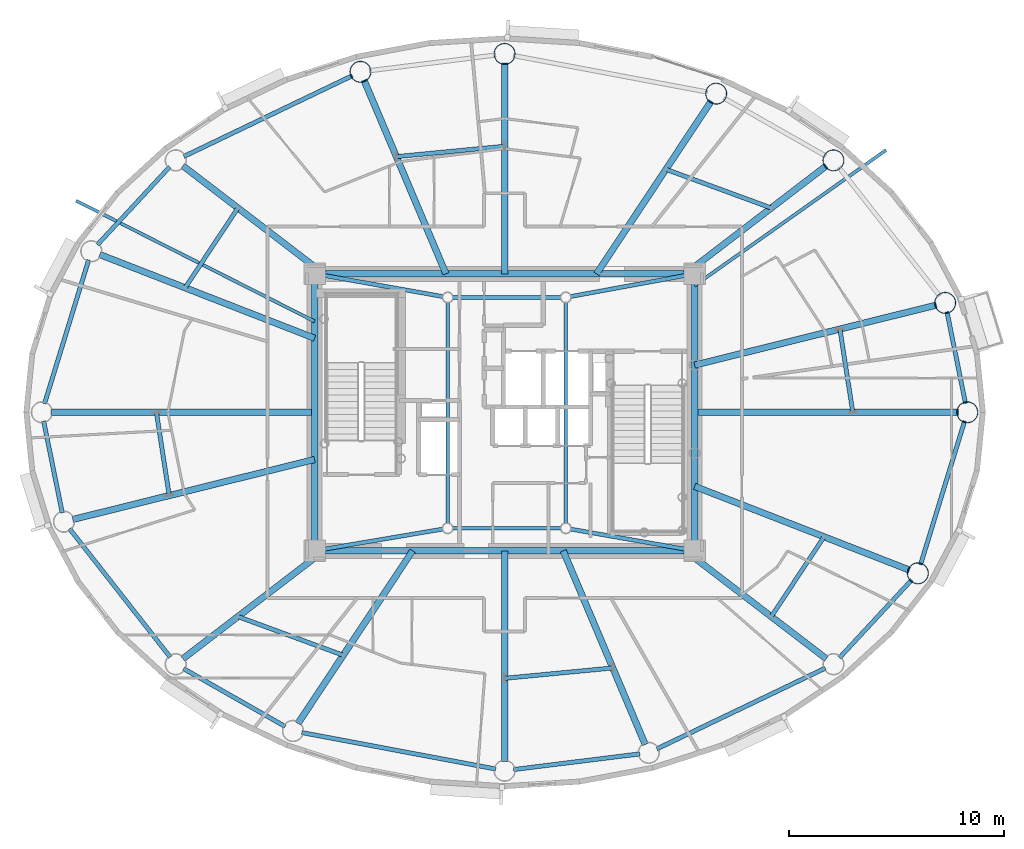
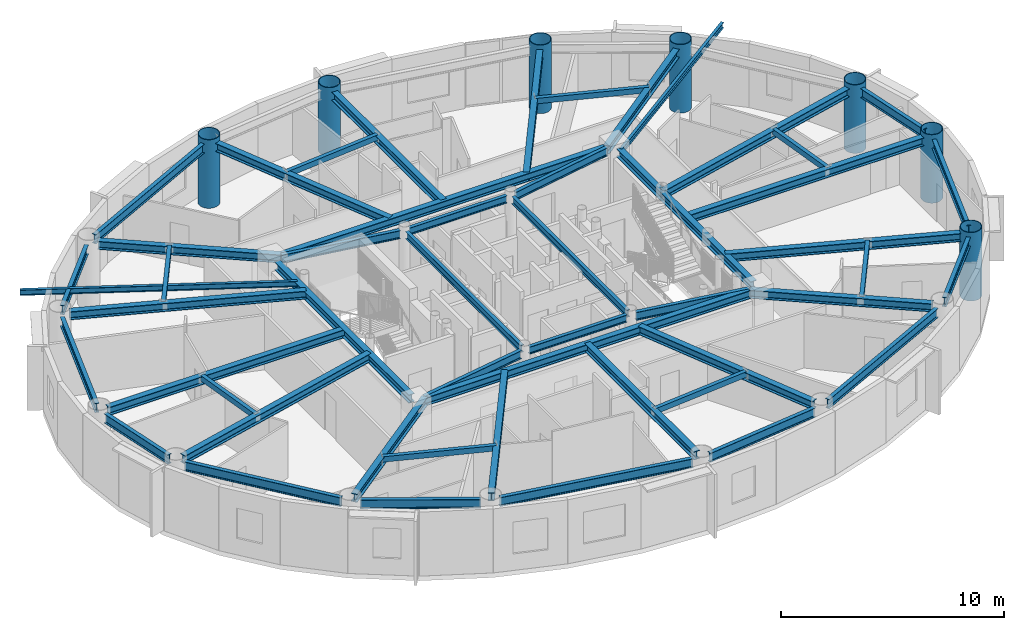
# One storey, part 2 of 18: 50 beams, 7 columns.
"""IFC4 building model written with IfcOpenShell, lengths in metres."""

from ifc_helpers import new_model, si_unit, direction, frame, origin, origin_2d, place, context, subcontext, project, spatial, hollow_rectangle, hollow_circle, i_section, extrude, material, material_profile, profile_set, type_object, element, save


model = new_model("IFC4")

# Units and contexts
model_context = context("Model", 3, precision=1e-05, world=origin(), true_north=direction((0.0, 1.0)))
body_context = subcontext(model_context, "Body", "Model", "MODEL_VIEW")
ifc_project = project(units=[si_unit("LENGTHUNIT", "METRE"), si_unit("AREAUNIT", "SQUARE_METRE"), si_unit("VOLUMEUNIT", "CUBIC_METRE"), si_unit("PLANEANGLEUNIT", "RADIAN"), si_unit("MASSUNIT", "GRAM", prefix="KILO")], contexts=[model_context])

# Site, building, storey
site_placement = place(None, origin())
site = spatial("IfcSite", under=ifc_project, at=site_placement, CompositionType="ELEMENT")
building_placement = place(site_placement, origin())
building = spatial("IfcBuilding", under=site, at=building_placement, Name="Linh Dai School and Residence Tower", CompositionType="ELEMENT")
storey_placement = place(building_placement, frame((0.0, 0.0, 273.0)))
storey = spatial("IfcBuildingStorey", under=building, at=storey_placement, Name="L67", CompositionType="ELEMENT", Elevation=273.0)

# Columns
ifc_material = material(Name="Structural Steel S355JR", Category="steel")
ifc_material_profile_1 = material_profile(ifc_material, hollow_circle(Radius=0.5, WallThickness=0.031982421875, at=origin_2d()), Name="CHS 1000x32")
ifc_profile_set_1 = profile_set([ifc_material_profile_1], Name="Structural Steel S355JR")
column_type = type_object("IfcColumnType", Name="COL-MC6", PredefinedType="COLUMN", material=ifc_profile_set_1)
for number, where, z_axis, x_axis, name in (
    (1, (57.550048828125, 27.0, 0.0), (0.0, 0.0, 1.0), (1.0, 0.0, 0.0), "L67 Perimeter CFT Mega-Column MC01"),
    (2, (56.5185546875, 32.094482421875, 0.0), (0.0, 0.0, 1.0), (1.0, 0.0, 0.0), "L67 Perimeter CFT Mega-Column MC02"),
    (3, (51.315185546875, 38.7333984375, 0.0), (0.0, 0.0, 1.0), (1.0, 0.0, 0.0), "L67 Perimeter CFT Mega-Column MC03"),
    (4, (45.8544921875, 41.8388671875, 0.0), (0.0, 0.0, 1.0), (1.0, 0.0, 0.0), "L67 Perimeter CFT Mega-Column MC04"),
    (5, (36.0, 43.68994140625, 0.0), (0.0, 0.0, 1.0), (1.0, 0.0, 0.0), "L67 Perimeter CFT Mega-Column MC05"),
    (6, (29.28759765625, 42.857666015625, 0.0), (0.0, 0.0, 1.0), (1.0, 0.0, 0.0), "L67 Perimeter CFT Mega-Column MC06"),
    (7, (55.24609375, 19.50048828125, 0.0), (0.0, 0.0, 1.0), (1.0, 0.0, 0.0), "L67 Perimeter CFT Mega-Column MC16"),
):
    element("IfcColumn", number, at=place(storey_placement, frame(where, z_axis=z_axis, x_axis=x_axis)), inside=storey, type_object=column_type, Name=name, PredefinedType="COLUMN", context=body_context, shape_type="SweptSolid", body=[
        extrude(hollow_circle(Radius=0.5, WallThickness=0.031982421875, at=origin_2d()), origin(), (0.0, 0.0, 1.0), 3.75),
    ])

# Beams
ifc_material_profile_2 = material_profile(ifc_material, i_section(OverallWidth=0.14990234375, OverallDepth=0.300048828125, WebThickness=0.007080078125, FlangeThickness=0.0107421875, at=origin_2d()), Name="IPE 300")
ifc_profile_set_2 = profile_set([ifc_material_profile_2], Name="Structural Steel S355JR")
beam_type_1 = type_object("IfcBeamType", Name="BM-BALC-CANT", PredefinedType="BEAM", material=ifc_profile_set_2)
beam_1_placement = place(storey_placement, frame((44.85009765625, 32.900146484375, 3.35009765625), z_axis=(0.816151853346, 0.577837479123, 0.0), x_axis=(-0.577837479123, 0.816151853346, 0.0)))
element("IfcBeam", 8, at=beam_1_placement, inside=storey, type_object=beam_type_1, Name="L68 Balcony Continuous Cantilever Beam 05", PredefinedType="BEAM", context=body_context, shape_type="SweptSolid", body=[
    extrude(i_section(OverallWidth=0.14990234375, OverallDepth=0.300048828125, WebThickness=0.007080078125, FlangeThickness=0.0107421875, at=origin_2d()), origin(), (0.0, 0.0, 1.0), 10.922607421875),
])
beam_2_placement = place(storey_placement, frame((27.14990234375, 31.23291015625, 3.35009765625), z_axis=(-0.892266718589, 0.451508696371, 0.0), x_axis=(-0.451508696371, -0.892266718589, 0.0)))
element("IfcBeam", 9, at=beam_2_placement, inside=storey, type_object=beam_type_1, Name="L68 Balcony Continuous Cantilever Beam 17", PredefinedType="BEAM", context=body_context, shape_type="SweptSolid", body=[
    extrude(i_section(OverallWidth=0.14990234375, OverallDepth=0.300048828125, WebThickness=0.007080078125, FlangeThickness=0.0107421875, at=origin_2d()), origin(), (0.0, 0.0, 1.0), 12.44482421875),
])
ifc_material_profile_3 = material_profile(ifc_material, hollow_rectangle(XDim=0.199951171875, YDim=0.300048828125, WallThickness=0.010009765625, at=origin_2d()), Name="RHS 300x200x10")
ifc_profile_set_3 = profile_set([ifc_material_profile_3], Name="Structural Steel S355JR")
beam_type_2 = type_object("IfcBeamType", Name="BM-BX3", PredefinedType="BEAM", material=ifc_profile_set_3)
beam_3_placement = place(storey_placement, frame((52.21533203125, 27.0048828125, 3.35009765625), z_axis=(-0.15246970742, 0.988308144416, 0.0), x_axis=(-0.988308144416, -0.15246970742, 0.0)))
element("IfcBeam", 10, at=beam_3_placement, inside=storey, type_object=beam_type_2, Name="L67 Secondary Circumferential Floor Beam 01", PredefinedType="BEAM", context=body_context, shape_type="SweptSolid", body=[
    extrude(hollow_rectangle(XDim=0.199951171875, YDim=0.300048828125, WallThickness=0.010009765625, at=origin_2d()), origin(), (0.0, 0.0, 1.0), 3.913330078125),
])
beam_4_placement = place(storey_placement, frame((48.4140625, 36.51611328125, 3.35009765625), z_axis=(-0.938699136888, 0.344737480418, 0.0), x_axis=(-0.344737480418, -0.938699136888, 0.0)))
element("IfcBeam", 11, at=beam_4_placement, inside=storey, type_object=beam_type_2, Name="L67 Secondary Circumferential Floor Beam 02", PredefinedType="BEAM", context=body_context, shape_type="SweptSolid", body=[
    extrude(hollow_rectangle(XDim=0.199951171875, YDim=0.300048828125, WallThickness=0.010009765625, at=origin_2d()), origin(), (0.0, 0.0, 1.0), 5.21435546875),
])
beam_5_placement = place(storey_placement, frame((35.9951171875, 39.388671875, 3.35009765625), z_axis=(-0.99544604529, -0.095326653757, 0.0), x_axis=(0.095326653757, -0.99544604529, 0.0)))
element("IfcBeam", 12, at=beam_5_placement, inside=storey, type_object=beam_type_2, Name="L67 Secondary Circumferential Floor Beam 03", PredefinedType="BEAM", context=body_context, shape_type="SweptSolid", body=[
    extrude(hollow_rectangle(XDim=0.199951171875, YDim=0.300048828125, WallThickness=0.010009765625, at=origin_2d()), origin(), (0.0, 0.0, 1.0), 5.052978515625),
])
beam_6_placement = place(storey_placement, frame((23.57861328125, 36.51025390625, 3.35009765625), z_axis=(-0.552138599569, -0.833752341445, 0.0), x_axis=(0.833752341445, -0.552138599569, 0.0)))
element("IfcBeam", 13, at=beam_6_placement, inside=storey, type_object=beam_type_2, Name="L67 Secondary Circumferential Floor Beam 04", PredefinedType="BEAM", context=body_context, shape_type="SweptSolid", body=[
    extrude(hollow_rectangle(XDim=0.199951171875, YDim=0.300048828125, WallThickness=0.010009765625, at=origin_2d()), origin(), (0.0, 0.0, 1.0), 4.447265625),
])
beam_7_placement = place(storey_placement, frame((19.78466796875, 26.9951171875, 3.35009765625), z_axis=(0.15246970742, -0.988308144416, 0.0), x_axis=(0.988308144416, 0.15246970742, 0.0)))
element("IfcBeam", 14, at=beam_7_placement, inside=storey, type_object=beam_type_2, Name="L67 Secondary Circumferential Floor Beam 05", PredefinedType="BEAM", context=body_context, shape_type="SweptSolid", body=[
    extrude(hollow_rectangle(XDim=0.199951171875, YDim=0.300048828125, WallThickness=0.010009765625, at=origin_2d()), origin(), (0.0, 0.0, 1.0), 3.913330078125),
])
beam_8_placement = place(storey_placement, frame((23.5859375, 17.48388671875, 3.35009765625), z_axis=(0.938699136888, -0.344737480418, 0.0), x_axis=(0.344737480418, 0.938699136888, 0.0)))
element("IfcBeam", 15, at=beam_8_placement, inside=storey, type_object=beam_type_2, Name="L67 Secondary Circumferential Floor Beam 06", PredefinedType="BEAM", context=body_context, shape_type="SweptSolid", body=[
    extrude(hollow_rectangle(XDim=0.199951171875, YDim=0.300048828125, WallThickness=0.010009765625, at=origin_2d()), origin(), (0.0, 0.0, 1.0), 5.21435546875),
])
beam_9_placement = place(storey_placement, frame((36.0048828125, 14.611328125, 3.35009765625), z_axis=(0.99544604529, 0.095326653757, 0.0), x_axis=(-0.095326653757, 0.99544604529, 0.0)))
element("IfcBeam", 16, at=beam_9_placement, inside=storey, type_object=beam_type_2, Name="L67 Secondary Circumferential Floor Beam 07", PredefinedType="BEAM", context=body_context, shape_type="SweptSolid", body=[
    extrude(hollow_rectangle(XDim=0.199951171875, YDim=0.300048828125, WallThickness=0.010009765625, at=origin_2d()), origin(), (0.0, 0.0, 1.0), 5.052978515625),
])
beam_10_placement = place(storey_placement, frame((48.42138671875, 17.48974609375, 3.35009765625), z_axis=(0.552138599569, 0.833752341445, 0.0), x_axis=(-0.833752341445, 0.552138599569, 0.0)))
element("IfcBeam", 17, at=beam_10_placement, inside=storey, type_object=beam_type_2, Name="L67 Secondary Circumferential Floor Beam 08", PredefinedType="BEAM", context=body_context, shape_type="SweptSolid", body=[
    extrude(hollow_rectangle(XDim=0.199951171875, YDim=0.300048828125, WallThickness=0.010009765625, at=origin_2d()), origin(), (0.0, 0.0, 1.0), 4.447265625),
])
ifc_material_profile_4 = material_profile(ifc_material, i_section(OverallWidth=0.199951171875, OverallDepth=0.5, WebThickness=0.01025390625, FlangeThickness=0.01611328125, FilletRadius=0.02099609375, at=origin_2d()), Name="IPE 500")
ifc_profile_set_4 = profile_set([ifc_material_profile_4], Name="Structural Steel S355JR")
beam_type_3 = type_object("IfcBeamType", Name="BM-RB50", PredefinedType="BEAM", material=ifc_profile_set_4)
beam_11_placement = place(storey_placement, frame((57.466552734375, 27.41162109375, 3.25), z_axis=(-0.198442801529, 0.980112470343, 0.0), x_axis=(-0.980112470343, -0.198442801529, 0.0)))
element("IfcBeam", 18, at=beam_11_placement, inside=storey, type_object=beam_type_3, Name="L67 Perimeter Elliptical Ring Beam 01", PredefinedType="BEAM", context=body_context, shape_type="SweptSolid", body=[
    extrude(i_section(OverallWidth=0.199951171875, OverallDepth=0.5, WebThickness=0.01025390625, FlangeThickness=0.01611328125, FilletRadius=0.02099609375, at=origin_2d()), origin(), (0.0, 0.0, 1.0), 4.357666015625),
])
beam_12_placement = place(storey_placement, frame((28.908935546875, 42.67626953125, 3.25), z_axis=(-0.901728757887, -0.4323022637, 0.0), x_axis=(0.4323022637, -0.901728757887, 0.0)))
element("IfcBeam", 19, at=beam_12_placement, inside=storey, type_object=beam_type_3, Name="L67 Perimeter Elliptical Ring Beam 06", PredefinedType="BEAM", context=body_context, shape_type="SweptSolid", body=[
    extrude(i_section(OverallWidth=0.199951171875, OverallDepth=0.5, WebThickness=0.01025390625, FlangeThickness=0.01611328125, FilletRadius=0.02099609375, at=origin_2d()), origin(), (0.0, 0.0, 1.0), 8.700439453125),
])
beam_13_placement = place(storey_placement, frame((20.399169921875, 38.425537109375, 3.25), z_axis=(-0.680415064526, -0.7328269509, 0.0), x_axis=(0.7328269509, -0.680415064526, 0.0)))
element("IfcBeam", 20, at=beam_13_placement, inside=storey, type_object=beam_type_3, Name="L67 Perimeter Elliptical Ring Beam 07", PredefinedType="BEAM", context=body_context, shape_type="SweptSolid", body=[
    extrude(i_section(OverallWidth=0.199951171875, OverallDepth=0.5, WebThickness=0.01025390625, FlangeThickness=0.01611328125, FilletRadius=0.02099609375, at=origin_2d()), origin(), (0.0, 0.0, 1.0), 4.9375),
])
beam_14_placement = place(storey_placement, frame((16.630615234375, 34.097900390625, 3.25), z_axis=(-0.293681749834, -0.955903253376, 0.0), x_axis=(0.955903253376, -0.293681749834, 0.0)))
element("IfcBeam", 21, at=beam_14_placement, inside=storey, type_object=beam_type_3, Name="L67 Perimeter Elliptical Ring Beam 08", PredefinedType="BEAM", context=body_context, shape_type="SweptSolid", body=[
    extrude(i_section(OverallWidth=0.199951171875, OverallDepth=0.5, WebThickness=0.01025390625, FlangeThickness=0.01611328125, FilletRadius=0.02099609375, at=origin_2d()), origin(), (0.0, 0.0, 1.0), 7.00537109375),
])
beam_15_placement = place(storey_placement, frame((14.533447265625, 26.58837890625, 3.25), z_axis=(0.198442801529, -0.980112470343, 0.0), x_axis=(0.980112470343, 0.198442801529, 0.0)))
element("IfcBeam", 22, at=beam_15_placement, inside=storey, type_object=beam_type_3, Name="L67 Perimeter Elliptical Ring Beam 09", PredefinedType="BEAM", context=body_context, shape_type="SweptSolid", body=[
    extrude(i_section(OverallWidth=0.199951171875, OverallDepth=0.5, WebThickness=0.01025390625, FlangeThickness=0.01611328125, FilletRadius=0.02099609375, at=origin_2d()), origin(), (0.0, 0.0, 1.0), 4.357666015625),
])
beam_16_placement = place(storey_placement, frame((15.740478515625, 21.574951171875, 3.25), z_axis=(0.616882739554, -0.787055071542, 0.0), x_axis=(0.787055071542, 0.616882739554, 0.0)))
element("IfcBeam", 23, at=beam_16_placement, inside=storey, type_object=beam_type_3, Name="L67 Perimeter Elliptical Ring Beam 10", PredefinedType="BEAM", context=body_context, shape_type="SweptSolid", body=[
    extrude(i_section(OverallWidth=0.199951171875, OverallDepth=0.5, WebThickness=0.01025390625, FlangeThickness=0.01611328125, FilletRadius=0.02099609375, at=origin_2d()), origin(), (0.0, 0.0, 1.0), 7.59521484375),
])
beam_17_placement = place(storey_placement, frame((21.050048828125, 15.05908203125, 3.25), z_axis=(0.869265548778, -0.494345431564, 0.0), x_axis=(0.494345431564, 0.869265548778, 0.0)))
element("IfcBeam", 24, at=beam_17_placement, inside=storey, type_object=beam_type_3, Name="L67 Perimeter Elliptical Ring Beam 11", PredefinedType="BEAM", context=body_context, shape_type="SweptSolid", body=[
    extrude(i_section(OverallWidth=0.199951171875, OverallDepth=0.5, WebThickness=0.01025390625, FlangeThickness=0.01611328125, FilletRadius=0.02099609375, at=origin_2d()), origin(), (0.0, 0.0, 1.0), 5.44189453125),
])
beam_18_placement = place(storey_placement, frame((26.558349609375, 12.083740234375, 3.25), z_axis=(0.982805333306, -0.184644731378, 0.0), x_axis=(0.184644731378, 0.982805333306, 0.0)))
element("IfcBeam", 25, at=beam_18_placement, inside=storey, type_object=beam_type_3, Name="L67 Perimeter Elliptical Ring Beam 12", PredefinedType="BEAM", context=body_context, shape_type="SweptSolid", body=[
    extrude(i_section(OverallWidth=0.199951171875, OverallDepth=0.5, WebThickness=0.01025390625, FlangeThickness=0.01611328125, FilletRadius=0.02099609375, at=origin_2d()), origin(), (0.0, 0.0, 1.0), 9.186767578125),
])
beam_19_placement = place(storey_placement, frame((36.416748046875, 10.361572265625, 3.25), z_axis=(0.992399134443, 0.123060789678, 0.0), x_axis=(-0.123060789678, 0.992399134443, 0.0)))
element("IfcBeam", 26, at=beam_19_placement, inside=storey, type_object=beam_type_3, Name="L67 Perimeter Elliptical Ring Beam 13", PredefinedType="BEAM", context=body_context, shape_type="SweptSolid", body=[
    extrude(i_section(OverallWidth=0.199951171875, OverallDepth=0.5, WebThickness=0.01025390625, FlangeThickness=0.01611328125, FilletRadius=0.02099609375, at=origin_2d()), origin(), (0.0, 0.0, 1.0), 5.923828125),
])
beam_20_placement = place(storey_placement, frame((43.091064453125, 11.32373046875, 3.25), z_axis=(0.901728757887, 0.4323022637, 0.0), x_axis=(-0.4323022637, 0.901728757887, 0.0)))
element("IfcBeam", 27, at=beam_20_placement, inside=storey, type_object=beam_type_3, Name="L67 Perimeter Elliptical Ring Beam 14", PredefinedType="BEAM", context=body_context, shape_type="SweptSolid", body=[
    extrude(i_section(OverallWidth=0.199951171875, OverallDepth=0.5, WebThickness=0.01025390625, FlangeThickness=0.01611328125, FilletRadius=0.02099609375, at=origin_2d()), origin(), (0.0, 0.0, 1.0), 8.700439453125),
])
beam_21_placement = place(storey_placement, frame((51.600830078125, 15.574462890625, 3.25), z_axis=(0.680415064526, 0.7328269509, 0.0), x_axis=(-0.7328269509, 0.680415064526, 0.0)))
element("IfcBeam", 28, at=beam_21_placement, inside=storey, type_object=beam_type_3, Name="L67 Perimeter Elliptical Ring Beam 15", PredefinedType="BEAM", context=body_context, shape_type="SweptSolid", body=[
    extrude(i_section(OverallWidth=0.199951171875, OverallDepth=0.5, WebThickness=0.01025390625, FlangeThickness=0.01611328125, FilletRadius=0.02099609375, at=origin_2d()), origin(), (0.0, 0.0, 1.0), 4.9375),
])
beam_22_placement = place(storey_placement, frame((55.369384765625, 19.902099609375, 3.25), z_axis=(0.293681749834, 0.955903253376, 0.0), x_axis=(-0.955903253376, 0.293681749834, 0.0)))
element("IfcBeam", 29, at=beam_22_placement, inside=storey, type_object=beam_type_3, Name="L67 Perimeter Elliptical Ring Beam 16", PredefinedType="BEAM", context=body_context, shape_type="SweptSolid", body=[
    extrude(i_section(OverallWidth=0.199951171875, OverallDepth=0.5, WebThickness=0.01025390625, FlangeThickness=0.01611328125, FilletRadius=0.02099609375, at=origin_2d()), origin(), (0.0, 0.0, 1.0), 7.00537109375),
])
ifc_material_profile_5 = material_profile(ifc_material, i_section(OverallWidth=0.300048828125, OverallDepth=0.449951171875, WebThickness=0.013916015625, FlangeThickness=0.02587890625, FilletRadius=0.027099609375, at=origin_2d()), Name="HEB 450")
ifc_profile_set_5 = profile_set([ifc_material_profile_5], Name="Structural Steel S355JR")
beam_type_4 = type_object("IfcBeamType", Name="BM-RG45", PredefinedType="BEAM", material=ifc_profile_set_5)
beam_23_placement = place(storey_placement, frame((27.570068359375, 20.550048828125, 3.27490234375), z_axis=(1.0, 0.0, 0.0), x_axis=(0.0, 1.0, 0.0)))
element("IfcBeam", 30, at=beam_23_placement, inside=storey, type_object=beam_type_4, Name="L67 Core Perimeter Coupling Girder 1", PredefinedType="BEAM", context=body_context, shape_type="SweptSolid", body=[
    extrude(i_section(OverallWidth=0.300048828125, OverallDepth=0.449951171875, WebThickness=0.013916015625, FlangeThickness=0.02587890625, FilletRadius=0.027099609375, at=origin_2d()), origin(), (0.0, 0.0, 1.0), 16.85986328125),
])
beam_24_placement = place(storey_placement, frame((44.85009765625, 20.969970703125, 3.27490234375), z_axis=(0.0, 1.0, 0.0), x_axis=(-1.0, 0.0, 0.0)))
element("IfcBeam", 31, at=beam_24_placement, inside=storey, type_object=beam_type_4, Name="L67 Core Perimeter Coupling Girder 2", PredefinedType="BEAM", context=body_context, shape_type="SweptSolid", body=[
    extrude(i_section(OverallWidth=0.300048828125, OverallDepth=0.449951171875, WebThickness=0.013916015625, FlangeThickness=0.02587890625, FilletRadius=0.027099609375, at=origin_2d()), origin(), (0.0, 0.0, 1.0), 12.06005859375),
])
beam_25_placement = place(storey_placement, frame((44.429931640625, 33.449951171875, 3.27490234375), z_axis=(-1.0, 0.0, 0.0), x_axis=(0.0, -1.0, 0.0)))
element("IfcBeam", 32, at=beam_25_placement, inside=storey, type_object=beam_type_4, Name="L67 Core Perimeter Coupling Girder 3", PredefinedType="BEAM", context=body_context, shape_type="SweptSolid", body=[
    extrude(i_section(OverallWidth=0.300048828125, OverallDepth=0.449951171875, WebThickness=0.013916015625, FlangeThickness=0.02587890625, FilletRadius=0.027099609375, at=origin_2d()), origin(), (0.0, 0.0, 1.0), 16.85986328125),
])
beam_26_placement = place(storey_placement, frame((27.14990234375, 33.030029296875, 3.27490234375), z_axis=(0.0, -1.0, 0.0), x_axis=(1.0, 0.0, 0.0)))
element("IfcBeam", 33, at=beam_26_placement, inside=storey, type_object=beam_type_4, Name="L67 Core Perimeter Coupling Girder 4", PredefinedType="BEAM", context=body_context, shape_type="SweptSolid", body=[
    extrude(i_section(OverallWidth=0.300048828125, OverallDepth=0.449951171875, WebThickness=0.013916015625, FlangeThickness=0.02587890625, FilletRadius=0.027099609375, at=origin_2d()), origin(), (0.0, 0.0, 1.0), 12.06005859375),
])
beam_27_placement = place(storey_placement, frame((44.85009765625, 27.0, 3.27490234375), z_axis=(1.0, 0.0, 0.0), x_axis=(0.0, 1.0, 0.0)))
element("IfcBeam", 34, at=beam_27_placement, inside=storey, type_object=beam_type_4, Name="L67 Primary Radial Floor Girder 01", PredefinedType="BEAM", context=body_context, shape_type="SweptSolid", body=[
    extrude(i_section(OverallWidth=0.300048828125, OverallDepth=0.449951171875, WebThickness=0.013916015625, FlangeThickness=0.02587890625, FilletRadius=0.027099609375, at=origin_2d()), origin(), (0.0, 0.0, 1.0), 12.27978515625),
])
beam_28_placement = place(storey_placement, frame((44.85009765625, 29.197265625, 3.27490234375), z_axis=(0.970532368701, 0.240970789315, 0.0), x_axis=(-0.240970789315, 0.970532368701, 0.0)))
element("IfcBeam", 35, at=beam_28_placement, inside=storey, type_object=beam_type_4, Name="L67 Primary Radial Floor Girder 02", PredefinedType="BEAM", context=body_context, shape_type="SweptSolid", body=[
    extrude(i_section(OverallWidth=0.300048828125, OverallDepth=0.449951171875, WebThickness=0.013916015625, FlangeThickness=0.02587890625, FilletRadius=0.027099609375, at=origin_2d()), origin(), (0.0, 0.0, 1.0), 11.6025390625),
])
beam_29_placement = place(storey_placement, frame((44.4189453125, 33.449951171875, 3.27490234375), z_axis=(0.793802616583, 0.608175472956, 0.0), x_axis=(-0.608175472956, 0.793802616583, 0.0)))
element("IfcBeam", 36, at=beam_29_placement, inside=storey, type_object=beam_type_4, Name="L67 Primary Radial Floor Girder 03", PredefinedType="BEAM", context=body_context, shape_type="SweptSolid", body=[
    extrude(i_section(OverallWidth=0.300048828125, OverallDepth=0.449951171875, WebThickness=0.013916015625, FlangeThickness=0.02587890625, FilletRadius=0.027099609375, at=origin_2d()), origin(), (0.0, 0.0, 1.0), 8.267578125),
])
beam_30_placement = place(storey_placement, frame((40.283447265625, 33.449951171875, 3.27490234375), z_axis=(0.553210566646, 0.833041456922, 0.0), x_axis=(-0.833041456922, 0.553210566646, 0.0)))
element("IfcBeam", 37, at=beam_30_placement, inside=storey, type_object=beam_type_4, Name="L67 Primary Radial Floor Girder 04", PredefinedType="BEAM", context=body_context, shape_type="SweptSolid", body=[
    extrude(i_section(OverallWidth=0.300048828125, OverallDepth=0.449951171875, WebThickness=0.013916015625, FlangeThickness=0.02587890625, FilletRadius=0.027099609375, at=origin_2d()), origin(), (0.0, 0.0, 1.0), 9.650146484375),
])
beam_31_placement = place(storey_placement, frame((36.0, 33.449951171875, 3.27490234375), z_axis=(0.0, 1.0, 0.0), x_axis=(-1.0, 0.0, 0.0)))
element("IfcBeam", 38, at=beam_31_placement, inside=storey, type_object=beam_type_4, Name="L67 Primary Radial Floor Girder 05", PredefinedType="BEAM", context=body_context, shape_type="SweptSolid", body=[
    extrude(i_section(OverallWidth=0.300048828125, OverallDepth=0.449951171875, WebThickness=0.013916015625, FlangeThickness=0.02587890625, FilletRadius=0.027099609375, at=origin_2d()), origin(), (0.0, 0.0, 1.0), 9.820068359375),
])
beam_32_placement = place(storey_placement, frame((33.269775390625, 33.449951171875, 3.27490234375), z_axis=(-0.389794463678, 0.920901881899, 0.0), x_axis=(-0.920901881899, -0.389794463678, 0.0)))
element("IfcBeam", 39, at=beam_32_placement, inside=storey, type_object=beam_type_4, Name="L67 Primary Radial Floor Girder 06", PredefinedType="BEAM", context=body_context, shape_type="SweptSolid", body=[
    extrude(i_section(OverallWidth=0.300048828125, OverallDepth=0.449951171875, WebThickness=0.013916015625, FlangeThickness=0.02587890625, FilletRadius=0.027099609375, at=origin_2d()), origin(), (0.0, 0.0, 1.0), 9.7958984375),
])
beam_33_placement = place(storey_placement, frame((27.5810546875, 33.449951171875, 3.27490234375), z_axis=(-0.793802616583, 0.608175472956, 0.0), x_axis=(-0.608175472956, -0.793802616583, 0.0)))
element("IfcBeam", 40, at=beam_33_placement, inside=storey, type_object=beam_type_4, Name="L67 Primary Radial Floor Girder 07", PredefinedType="BEAM", context=body_context, shape_type="SweptSolid", body=[
    extrude(i_section(OverallWidth=0.300048828125, OverallDepth=0.449951171875, WebThickness=0.013916015625, FlangeThickness=0.02587890625, FilletRadius=0.027099609375, at=origin_2d()), origin(), (0.0, 0.0, 1.0), 8.267578125),
])
beam_34_placement = place(storey_placement, frame((27.14990234375, 30.448486328125, 3.27490234375), z_axis=(-0.931760809838, 0.363072710693, 0.0), x_axis=(-0.363072710693, -0.931760809838, 0.0)))
element("IfcBeam", 41, at=beam_34_placement, inside=storey, type_object=beam_type_4, Name="L67 Primary Radial Floor Girder 08", PredefinedType="BEAM", context=body_context, shape_type="SweptSolid", body=[
    extrude(i_section(OverallWidth=0.300048828125, OverallDepth=0.449951171875, WebThickness=0.013916015625, FlangeThickness=0.02587890625, FilletRadius=0.027099609375, at=origin_2d()), origin(), (0.0, 0.0, 1.0), 10.7373046875),
])
beam_35_placement = place(storey_placement, frame((27.14990234375, 27.0, 3.27490234375), z_axis=(-1.0, 0.0, 0.0), x_axis=(0.0, -1.0, 0.0)))
element("IfcBeam", 42, at=beam_35_placement, inside=storey, type_object=beam_type_4, Name="L67 Primary Radial Floor Girder 09", PredefinedType="BEAM", context=body_context, shape_type="SweptSolid", body=[
    extrude(i_section(OverallWidth=0.300048828125, OverallDepth=0.449951171875, WebThickness=0.013916015625, FlangeThickness=0.02587890625, FilletRadius=0.027099609375, at=origin_2d()), origin(), (0.0, 0.0, 1.0), 12.27978515625),
])
beam_36_placement = place(storey_placement, frame((27.14990234375, 24.802734375, 3.27490234375), z_axis=(-0.970532368701, -0.240970789315, 0.0), x_axis=(0.240970789315, -0.970532368701, 0.0)))
element("IfcBeam", 43, at=beam_36_placement, inside=storey, type_object=beam_type_4, Name="L67 Primary Radial Floor Girder 10", PredefinedType="BEAM", context=body_context, shape_type="SweptSolid", body=[
    extrude(i_section(OverallWidth=0.300048828125, OverallDepth=0.449951171875, WebThickness=0.013916015625, FlangeThickness=0.02587890625, FilletRadius=0.027099609375, at=origin_2d()), origin(), (0.0, 0.0, 1.0), 11.6025390625),
])
beam_37_placement = place(storey_placement, frame((27.5810546875, 20.550048828125, 3.27490234375), z_axis=(-0.793802616583, -0.608175472956, 0.0), x_axis=(0.608175472956, -0.793802616583, 0.0)))
element("IfcBeam", 44, at=beam_37_placement, inside=storey, type_object=beam_type_4, Name="L67 Primary Radial Floor Girder 11", PredefinedType="BEAM", context=body_context, shape_type="SweptSolid", body=[
    extrude(i_section(OverallWidth=0.300048828125, OverallDepth=0.449951171875, WebThickness=0.013916015625, FlangeThickness=0.02587890625, FilletRadius=0.027099609375, at=origin_2d()), origin(), (0.0, 0.0, 1.0), 8.267578125),
])
beam_38_placement = place(storey_placement, frame((31.716552734375, 20.550048828125, 3.27490234375), z_axis=(-0.553210566646, -0.833041456922, 0.0), x_axis=(0.833041456922, -0.553210566646, 0.0)))
element("IfcBeam", 45, at=beam_38_placement, inside=storey, type_object=beam_type_4, Name="L67 Primary Radial Floor Girder 12", PredefinedType="BEAM", context=body_context, shape_type="SweptSolid", body=[
    extrude(i_section(OverallWidth=0.300048828125, OverallDepth=0.449951171875, WebThickness=0.013916015625, FlangeThickness=0.02587890625, FilletRadius=0.027099609375, at=origin_2d()), origin(), (0.0, 0.0, 1.0), 9.650146484375),
])
beam_39_placement = place(storey_placement, frame((36.0, 20.550048828125, 3.27490234375), z_axis=(0.0, -1.0, 0.0), x_axis=(1.0, 0.0, 0.0)))
element("IfcBeam", 46, at=beam_39_placement, inside=storey, type_object=beam_type_4, Name="L67 Primary Radial Floor Girder 13", PredefinedType="BEAM", context=body_context, shape_type="SweptSolid", body=[
    extrude(i_section(OverallWidth=0.300048828125, OverallDepth=0.449951171875, WebThickness=0.013916015625, FlangeThickness=0.02587890625, FilletRadius=0.027099609375, at=origin_2d()), origin(), (0.0, 0.0, 1.0), 9.820068359375),
])
beam_40_placement = place(storey_placement, frame((38.730224609375, 20.550048828125, 3.27490234375), z_axis=(0.389794463678, -0.920901881899, 0.0), x_axis=(0.920901881899, 0.389794463678, 0.0)))
element("IfcBeam", 47, at=beam_40_placement, inside=storey, type_object=beam_type_4, Name="L67 Primary Radial Floor Girder 14", PredefinedType="BEAM", context=body_context, shape_type="SweptSolid", body=[
    extrude(i_section(OverallWidth=0.300048828125, OverallDepth=0.449951171875, WebThickness=0.013916015625, FlangeThickness=0.02587890625, FilletRadius=0.027099609375, at=origin_2d()), origin(), (0.0, 0.0, 1.0), 9.7958984375),
])
beam_41_placement = place(storey_placement, frame((44.4189453125, 20.550048828125, 3.27490234375), z_axis=(0.793802616583, -0.608175472956, 0.0), x_axis=(0.608175472956, 0.793802616583, 0.0)))
element("IfcBeam", 48, at=beam_41_placement, inside=storey, type_object=beam_type_4, Name="L67 Primary Radial Floor Girder 15", PredefinedType="BEAM", context=body_context, shape_type="SweptSolid", body=[
    extrude(i_section(OverallWidth=0.300048828125, OverallDepth=0.449951171875, WebThickness=0.013916015625, FlangeThickness=0.02587890625, FilletRadius=0.027099609375, at=origin_2d()), origin(), (0.0, 0.0, 1.0), 8.267578125),
])
beam_42_placement = place(storey_placement, frame((44.85009765625, 23.551513671875, 3.27490234375), z_axis=(0.931760809838, -0.363072710693, 0.0), x_axis=(0.363072710693, 0.931760809838, 0.0)))
element("IfcBeam", 49, at=beam_42_placement, inside=storey, type_object=beam_type_4, Name="L67 Primary Radial Floor Girder 16", PredefinedType="BEAM", context=body_context, shape_type="SweptSolid", body=[
    extrude(i_section(OverallWidth=0.300048828125, OverallDepth=0.449951171875, WebThickness=0.013916015625, FlangeThickness=0.02587890625, FilletRadius=0.027099609375, at=origin_2d()), origin(), (0.0, 0.0, 1.0), 10.7373046875),
])
ifc_material_profile_6 = material_profile(ifc_material, i_section(OverallWidth=0.179931640625, OverallDepth=0.39990234375, WebThickness=0.008544921875, FlangeThickness=0.013427734375, FilletRadius=0.02099609375, at=origin_2d()), Name="IPE 400")
ifc_profile_set_6 = profile_set([ifc_material_profile_6], Name="Structural Steel S355JR")
beam_type_5 = type_object("IfcBeamType", Name="BM-SB40", PredefinedType="BEAM", material=ifc_profile_set_6)
beam_43_placement = place(storey_placement, frame((33.573974609375, 21.60009765625, 3.300048828125), z_axis=(1.0, 0.0, 0.0), x_axis=(0.0, 1.0, 0.0)))
element("IfcBeam", 50, at=beam_43_placement, inside=storey, type_object=beam_type_5, Name="L67 Core Mast Pier Tie Beam 1", PredefinedType="BEAM", context=body_context, shape_type="SweptSolid", body=[
    extrude(i_section(OverallWidth=0.179931640625, OverallDepth=0.39990234375, WebThickness=0.008544921875, FlangeThickness=0.013427734375, FilletRadius=0.02099609375, at=origin_2d()), origin(), (0.0, 0.0, 1.0), 5.052001953125),
])
beam_44_placement = place(storey_placement, frame((38.85009765625, 21.823974609375, 3.300048828125), z_axis=(0.0, 1.0, 0.0), x_axis=(-1.0, 0.0, 0.0)))
element("IfcBeam", 51, at=beam_44_placement, inside=storey, type_object=beam_type_5, Name="L67 Core Mast Pier Tie Beam 2", PredefinedType="BEAM", context=body_context, shape_type="SweptSolid", body=[
    extrude(i_section(OverallWidth=0.179931640625, OverallDepth=0.39990234375, WebThickness=0.008544921875, FlangeThickness=0.013427734375, FilletRadius=0.02099609375, at=origin_2d()), origin(), (0.0, 0.0, 1.0), 10.302001953125),
])
beam_45_placement = place(storey_placement, frame((38.6259765625, 32.35009765625, 3.300048828125), z_axis=(-1.0, 0.0, 0.0), x_axis=(0.0, -1.0, 0.0)))
element("IfcBeam", 52, at=beam_45_placement, inside=storey, type_object=beam_type_5, Name="L67 Core Mast Pier Tie Beam 3", PredefinedType="BEAM", context=body_context, shape_type="SweptSolid", body=[
    extrude(i_section(OverallWidth=0.179931640625, OverallDepth=0.39990234375, WebThickness=0.008544921875, FlangeThickness=0.013427734375, FilletRadius=0.02099609375, at=origin_2d()), origin(), (0.0, 0.0, 1.0), 5.052001953125),
])
beam_46_placement = place(storey_placement, frame((33.35009765625, 32.1259765625, 3.300048828125), z_axis=(0.0, -1.0, 0.0), x_axis=(1.0, 0.0, 0.0)))
element("IfcBeam", 53, at=beam_46_placement, inside=storey, type_object=beam_type_5, Name="L67 Core Mast Pier Tie Beam 4", PredefinedType="BEAM", context=body_context, shape_type="SweptSolid", body=[
    extrude(i_section(OverallWidth=0.179931640625, OverallDepth=0.39990234375, WebThickness=0.008544921875, FlangeThickness=0.013427734375, FilletRadius=0.02099609375, at=origin_2d()), origin(), (0.0, 0.0, 1.0), 10.302001953125),
])
ifc_material_profile_7 = material_profile(ifc_material, i_section(OverallWidth=0.18994140625, OverallDepth=0.449951171875, WebThickness=0.009521484375, FlangeThickness=0.0146484375, FilletRadius=0.02099609375, at=origin_2d()), Name="IPE 450")
ifc_profile_set_7 = profile_set([ifc_material_profile_7], Name="Structural Steel S355JR")
beam_type_6 = type_object("IfcBeamType", Name="BM-SB45", PredefinedType="BEAM", material=ifc_profile_set_7)
beam_47_placement = place(storey_placement, frame((27.564208984375, 20.6201171875, 3.27490234375), z_axis=(0.98596270559, 0.166965694638, 0.0), x_axis=(-0.166965694638, 0.98596270559, 0.0)))
element("IfcBeam", 54, at=beam_47_placement, inside=storey, type_object=beam_type_6, Name="L67 Core Corner-to-Mast Pier Beam 1", PredefinedType="BEAM", context=body_context, shape_type="SweptSolid", body=[
    extrude(i_section(OverallWidth=0.18994140625, OverallDepth=0.449951171875, WebThickness=0.009521484375, FlangeThickness=0.0146484375, FilletRadius=0.02099609375, at=origin_2d()), origin(), (0.0, 0.0, 1.0), 5.644287109375),
])
beam_48_placement = place(storey_placement, frame((44.436279296875, 20.622314453125, 3.27490234375), z_axis=(-0.985031608673, 0.17237380867, 0.0), x_axis=(-0.17237380867, -0.985031608673, 0.0)))
element("IfcBeam", 55, at=beam_48_placement, inside=storey, type_object=beam_type_6, Name="L67 Core Corner-to-Mast Pier Beam 2", PredefinedType="BEAM", context=body_context, shape_type="SweptSolid", body=[
    extrude(i_section(OverallWidth=0.18994140625, OverallDepth=0.449951171875, WebThickness=0.009521484375, FlangeThickness=0.0146484375, FilletRadius=0.02099609375, at=origin_2d()), origin(), (0.0, 0.0, 1.0), 5.447265625),
])
beam_49_placement = place(storey_placement, frame((44.436767578125, 33.374267578125, 3.27490234375), z_axis=(-0.983605366802, -0.180334362777, 0.0), x_axis=(0.180334362777, -0.983605366802, 0.0)))
element("IfcBeam", 56, at=beam_49_placement, inside=storey, type_object=beam_type_6, Name="L67 Core Corner-to-Mast Pier Beam 3", PredefinedType="BEAM", context=body_context, shape_type="SweptSolid", body=[
    extrude(i_section(OverallWidth=0.18994140625, OverallDepth=0.449951171875, WebThickness=0.009521484375, FlangeThickness=0.0146484375, FilletRadius=0.02099609375, at=origin_2d()), origin(), (0.0, 0.0, 1.0), 5.455810546875),
])
beam_50_placement = place(storey_placement, frame((27.5634765625, 33.376708984375, 3.27490234375), z_axis=(0.984621828197, -0.174699328672, 0.0), x_axis=(0.174699328672, 0.984621828197, 0.0)))
element("IfcBeam", 57, at=beam_50_placement, inside=storey, type_object=beam_type_6, Name="L67 Core Corner-to-Mast Pier Beam 4", PredefinedType="BEAM", context=body_context, shape_type="SweptSolid", body=[
    extrude(i_section(OverallWidth=0.18994140625, OverallDepth=0.449951171875, WebThickness=0.009521484375, FlangeThickness=0.0146484375, FilletRadius=0.02099609375, at=origin_2d()), origin(), (0.0, 0.0, 1.0), 5.65283203125),
])

save(model, "model.ifc")
